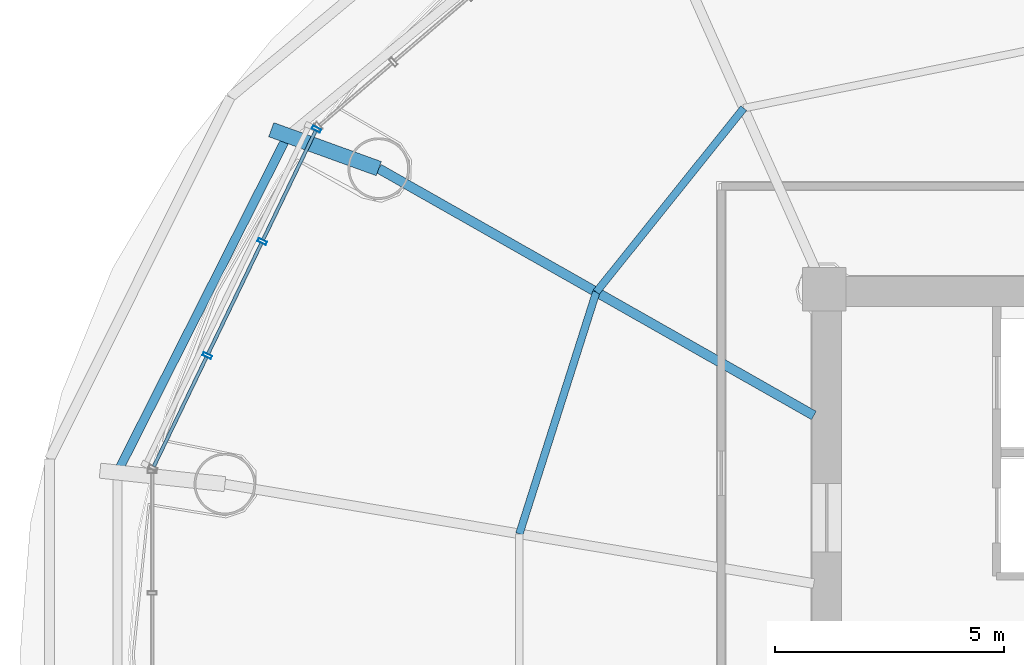
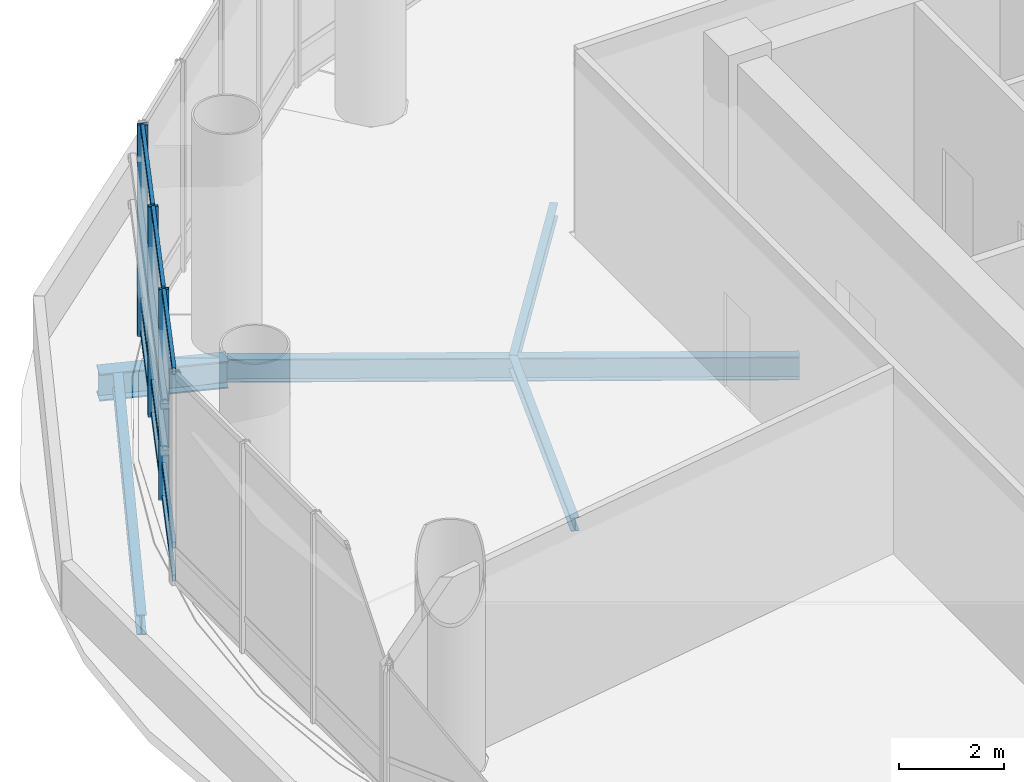
# One storey, part 7 of 29: 12 members, 5 beams, 1 element without a shape of its own.
"""IFC4 building model written with IfcOpenShell, lengths in metres."""

from ifc_helpers import new_model, si_unit, direction, frame, origin, origin_2d, place, context, subcontext, project, spatial, hollow_rectangle, i_section, extrude, source, transform, mapped, material, material_profile, profile_set, type_object, element, aggregate, save


model = new_model("IFC4")

# Units and contexts
model_context = context("Model", 3, precision=1e-05, world=origin(), true_north=direction((-0.2419218956, 0.970295726276)))
body_context = subcontext(model_context, "Body", "Model", "MODEL_VIEW")
ifc_project = project(units=[si_unit("LENGTHUNIT", "METRE"), si_unit("AREAUNIT", "SQUARE_METRE"), si_unit("VOLUMEUNIT", "CUBIC_METRE"), si_unit("PLANEANGLEUNIT", "RADIAN"), si_unit("MASSUNIT", "GRAM", prefix="KILO")], contexts=[model_context])

# Site, building, storey
site_placement = place(None, origin())
site = spatial("IfcSite", under=ifc_project, at=site_placement, CompositionType="ELEMENT")
building_placement = place(site_placement, origin())
building = spatial("IfcBuilding", under=site, at=building_placement, Name="Cobrevalo Terracotta Tower", CompositionType="ELEMENT")
storey_placement = place(building_placement, frame((0.0, 0.0, 130.199951171875)))
storey = spatial("IfcBuildingStorey", under=building, at=storey_placement, Name="L34", CompositionType="ELEMENT", Elevation=130.199951171875)

# Beams
ifc_material_1 = material(Name="Steel S355", Category="steel")
ifc_material_profile_1 = material_profile(ifc_material_1, i_section(OverallWidth=0.2109375, OverallDepth=0.5390625, WebThickness=0.01171875, FlangeThickness=0.018798828125, at=origin_2d()), Name="W 530x109")
ifc_profile_set_1 = profile_set([ifc_material_profile_1], Name="Steel S355")
beam_type_1 = type_object("IfcBeamType", Name="Structural Beam W 530x109 (Steel S355)", PredefinedType="BEAM", material=ifc_profile_set_1)
beam_1_placement = place(storey_placement, frame((19.250244140625, 37.439208984375, -0.719482421875), z_axis=(0.869735339048, -0.493518429251, 0.0), x_axis=(0.493518429251, 0.869735339048, 0.0)))
element("IfcBeam", 1, at=beam_1_placement, inside=storey, type_object=beam_type_1, Name="L34 radial floor girder 07", PredefinedType="BEAM", context=body_context, shape_type="SweptSolid", body=[
    extrude(i_section(OverallWidth=0.2109375, OverallDepth=0.5390625, WebThickness=0.01171875, FlangeThickness=0.018798828125, at=origin_2d()), origin(), (0.0, 0.0, 1.0), 10.945556640625),
])
ifc_material_profile_2 = material_profile(ifc_material_1, i_section(OverallWidth=0.3291015625, OverallDepth=0.635009765625, WebThickness=0.017822265625, FlangeThickness=0.031005859375, at=origin_2d()), Name="W 610x241")
ifc_profile_set_2 = profile_set([ifc_material_profile_2], Name="Steel S355")
beam_type_2 = type_object("IfcBeamType", Name="Structural Beam W 610x241 (Steel S355)", PredefinedType="BEAM", material=ifc_profile_set_2)
beam_2_placement = place(storey_placement, frame((16.8974609375, 38.290771484375, -0.767333984375), z_axis=(0.94030515472, -0.340332508007, 0.0), x_axis=(0.340332508007, 0.94030515472, 0.0)))
element("IfcBeam", 2, at=beam_2_placement, inside=storey, type_object=beam_type_2, Name="L34 setback step-link girder 07", PredefinedType="BEAM", context=body_context, shape_type="SweptSolid", body=[
    extrude(i_section(OverallWidth=0.3291015625, OverallDepth=0.635009765625, WebThickness=0.017822265625, FlangeThickness=0.031005859375, at=origin_2d()), origin(), (0.0, 0.0, 1.0), 2.502197265625),
])
ifc_material_profile_3 = material_profile(ifc_material_1, i_section(OverallWidth=0.1650390625, OverallDepth=0.31005859375, WebThickness=0.005859375, FlangeThickness=0.009765625, at=origin_2d()), Name="W 310x38.7")
ifc_profile_set_3 = profile_set([ifc_material_profile_3], Name="Steel S355")
beam_type_3 = type_object("IfcBeamType", Name="Structural Joist W 310x38.7 (Steel S355)", PredefinedType="JOIST", material=ifc_profile_set_3)
beam_3_placement = place(storey_placement, frame((27.23583984375, 38.76123046875, -0.60498046875), z_axis=(-0.625549229995, -0.780184696628, 0.0), x_axis=(0.780184696628, -0.625549229995, 0.0)))
element("IfcBeam", 3, at=beam_3_placement, inside=storey, type_object=beam_type_3, Name="L34 circumferential secondary floor joist 06", PredefinedType="JOIST", context=body_context, shape_type="SweptSolid", body=[
    extrude(i_section(OverallWidth=0.1650390625, OverallDepth=0.31005859375, WebThickness=0.005859375, FlangeThickness=0.009765625, at=origin_2d()), origin(), (0.0, 0.0, 1.0), 5.156494140625),
])
beam_4_placement = place(storey_placement, frame((24.01025390625, 34.73828125, -0.60498046875), z_axis=(-0.303230881841, -0.952917117224, 0.0), x_axis=(0.952917117224, -0.303230881841, 0.0)))
element("IfcBeam", 4, at=beam_4_placement, inside=storey, type_object=beam_type_3, Name="L34 circumferential secondary floor joist 07", PredefinedType="JOIST", context=body_context, shape_type="SweptSolid", body=[
    extrude(i_section(OverallWidth=0.1650390625, OverallDepth=0.31005859375, WebThickness=0.005859375, FlangeThickness=0.009765625, at=origin_2d()), origin(), (0.0, 0.0, 1.0), 5.55224609375),
])
ifc_material_profile_4 = material_profile(ifc_material_1, i_section(OverallWidth=0.194091796875, OverallDepth=0.468994140625, WebThickness=0.011474609375, FlangeThickness=0.0205078125, at=origin_2d()), Name="W 460x106")
ifc_profile_set_4 = profile_set([ifc_material_profile_4], Name="Steel S355")
beam_type_4 = type_object("IfcBeamType", Name="Structural Spandrel W 460x106 (Steel S355)", PredefinedType="SPANDREL", material=ifc_profile_set_4)
beam_5_placement = place(storey_placement, frame((17.2548828125, 38.161376953125, -0.6845703125), z_axis=(-0.451051982172, -0.892497680321, 0.0), x_axis=(0.892497680321, -0.451051982172, 0.0)))
element("IfcBeam", 5, at=beam_5_placement, inside=storey, type_object=beam_type_4, Name="L34 perimeter ring spandrel 07", PredefinedType="SPANDREL", context=body_context, shape_type="SweptSolid", body=[
    extrude(i_section(OverallWidth=0.194091796875, OverallDepth=0.468994140625, WebThickness=0.011474609375, FlangeThickness=0.0205078125, at=origin_2d()), origin(), (0.0, 0.0, 1.0), 8.259765625),
])

# Curtain wall, members
ifc_material_2 = material(Name="Anodized aluminium", Category="aluminium")
curtain_wall_type = type_object("IfcCurtainWallType", Name="Double-height sky-lobby panoramic curtain wall CW-SK", PredefinedType="NOTDEFINED", material=ifc_material_2)
curtain_wall_placement = place(storey_placement, origin())
curtain_wall = element("IfcCurtainWall", 6, at=curtain_wall_placement, inside=storey, type_object=curtain_wall_type, Name="L34 curtain wall CW-SK-L34-S07", PredefinedType="NOTDEFINED")
ifc_material_profile_5 = material_profile(ifc_material_2, hollow_rectangle(XDim=0.074951171875, YDim=0.199951171875, WallThickness=0.0048828125, at=origin_2d()), Name="CWM 75x200")
ifc_profile_set_5 = profile_set([ifc_material_profile_5], Name="Anodized aluminium")
member_type_1 = type_object("IfcMemberType", Name="Lower/mid tower unitised mullion 75x200", PredefinedType="MULLION", material=ifc_profile_set_5)
shared_shape_1 = source(origin(), body_context, "Body", "SweptSolid", [
    extrude(hollow_rectangle(XDim=0.074951171875, YDim=0.199951171875, WallThickness=0.0048828125, at=origin_2d()), origin(), (0.0, 0.0, 1.0), 4.929931640625),
])
member_1_placement = place(storey_placement, frame((17.885986328125, 38.30322265625, 0.0), z_axis=(0.0, 0.0, 1.0), x_axis=(-0.434209440271, -0.900811945957, 0.0)))
member_1 = element("IfcMember", 7, at=member_1_placement, type_object=member_type_1, Name="CW-SK-L34-S07 vertical mullion 01", PredefinedType="MULLION", context=body_context, shape_type="MappedRepresentation", body=[
    mapped(shared_shape_1, transform((0.0, 0.0, 0.0), scale=1.0)),
])
member_2_placement = place(storey_placement, frame((16.700439453125, 35.843505859375, 0.0), z_axis=(0.0, 0.0, 1.0), x_axis=(-0.434209440271, -0.900811945957, 0.0)))
member_2 = element("IfcMember", 8, at=member_2_placement, type_object=member_type_1, Name="CW-SK-L34-S07 vertical mullion 02", PredefinedType="MULLION", context=body_context, shape_type="MappedRepresentation", body=[
    mapped(shared_shape_1, transform((0.0, 0.0, 0.0), scale=1.0)),
])
member_3_placement = place(storey_placement, frame((15.497314453125, 33.34765625, 0.0), z_axis=(0.0, 0.0, 1.0), x_axis=(-0.434209440271, -0.900811945957, 0.0)))
member_3 = element("IfcMember", 9, at=member_3_placement, type_object=member_type_1, Name="CW-SK-L34-S07 vertical mullion 03", PredefinedType="MULLION", context=body_context, shape_type="MappedRepresentation", body=[
    mapped(shared_shape_1, transform((0.0, 0.0, 0.0), scale=1.0)),
])
ifc_material_profile_6 = material_profile(ifc_material_2, hollow_rectangle(XDim=0.074951171875, YDim=0.14990234375, WallThickness=0.00439453125, at=origin_2d()), Name="CWT 75x150")
ifc_profile_set_6 = profile_set([ifc_material_profile_6], Name="Anodized aluminium")
member_type_2 = type_object("IfcMemberType", Name="Tower unitised aluminium transom 75x150", PredefinedType="USERDEFINED", material=ifc_profile_set_6)
shared_shape_2 = source(origin(), body_context, "Body", "SweptSolid", [
    extrude(hollow_rectangle(XDim=0.074951171875, YDim=0.14990234375, WallThickness=0.00439453125, at=origin_2d()), origin(), (0.0, 0.0, 1.0), 2.650634765625),
])
member_4_placement = place(storey_placement, frame((17.86865234375, 38.26708984375, 0.050048828125), z_axis=(-0.434197756715, -0.900817577572, 0.0), x_axis=(0.900817577572, -0.434197756715, 0.0)))
member_4 = element("IfcMember", 10, at=member_4_placement, type_object=member_type_2, Name="CW-SK-L34-S07 transom B01-T1", ObjectType="TRANSOM", PredefinedType="USERDEFINED", context=body_context, shape_type="MappedRepresentation", body=[
    mapped(shared_shape_2, transform((0.0, 0.0, 0.0), scale=1.0)),
])
member_5_placement = place(storey_placement, frame((17.86865234375, 38.26708984375, 0.820068359375), z_axis=(-0.434197756715, -0.900817577572, 0.0), x_axis=(0.900817577572, -0.434197756715, 0.0)))
member_5 = element("IfcMember", 11, at=member_5_placement, type_object=member_type_2, Name="CW-SK-L34-S07 transom B01-T2", ObjectType="TRANSOM", PredefinedType="USERDEFINED", context=body_context, shape_type="MappedRepresentation", body=[
    mapped(shared_shape_2, transform((0.0, 0.0, 0.0), scale=1.0)),
])
member_6_placement = place(storey_placement, frame((17.86865234375, 38.26708984375, 4.880126953125), z_axis=(-0.434197756715, -0.900817577572, 0.0), x_axis=(0.900817577572, -0.434197756715, 0.0)))
member_6 = element("IfcMember", 12, at=member_6_placement, type_object=member_type_2, Name="CW-SK-L34-S07 transom B01-T3", ObjectType="TRANSOM", PredefinedType="USERDEFINED", context=body_context, shape_type="MappedRepresentation", body=[
    mapped(shared_shape_2, transform((0.0, 0.0, 0.0), scale=1.0)),
])
member_7_placement = place(storey_placement, frame((15.47998046875, 33.311767578125, 0.050048828125), z_axis=(-0.434197756715, -0.900817577572, 0.0), x_axis=(0.900817577572, -0.434197756715, 0.0)))
member_7 = element("IfcMember", 13, at=member_7_placement, type_object=member_type_2, Name="CW-SK-L34-S07 transom B03-T1", ObjectType="TRANSOM", PredefinedType="USERDEFINED", context=body_context, shape_type="MappedRepresentation", body=[
    mapped(shared_shape_2, transform((0.0, 0.0, 0.0), scale=1.0)),
])
member_8_placement = place(storey_placement, frame((15.47998046875, 33.311767578125, 0.820068359375), z_axis=(-0.434197756715, -0.900817577572, 0.0), x_axis=(0.900817577572, -0.434197756715, 0.0)))
member_8 = element("IfcMember", 14, at=member_8_placement, type_object=member_type_2, Name="CW-SK-L34-S07 transom B03-T2", ObjectType="TRANSOM", PredefinedType="USERDEFINED", context=body_context, shape_type="MappedRepresentation", body=[
    mapped(shared_shape_2, transform((0.0, 0.0, 0.0), scale=1.0)),
])
member_9_placement = place(storey_placement, frame((15.47998046875, 33.311767578125, 4.880126953125), z_axis=(-0.434197756715, -0.900817577572, 0.0), x_axis=(0.900817577572, -0.434197756715, 0.0)))
member_9 = element("IfcMember", 15, at=member_9_placement, type_object=member_type_2, Name="CW-SK-L34-S07 transom B03-T3", ObjectType="TRANSOM", PredefinedType="USERDEFINED", context=body_context, shape_type="MappedRepresentation", body=[
    mapped(shared_shape_2, transform((0.0, 0.0, 0.0), scale=1.0)),
])
shared_shape_3 = source(origin(), body_context, "Body", "SweptSolid", [
    extrude(hollow_rectangle(XDim=0.074951171875, YDim=0.14990234375, WallThickness=0.00439453125, at=origin_2d()), origin(), (0.0, 0.0, 1.0), 2.6904296875),
])
member_10_placement = place(storey_placement, frame((16.68310546875, 35.807373046875, 0.050048828125), z_axis=(-0.434208463265, -0.900812416893, 0.0), x_axis=(0.900812416893, -0.434208463265, 0.0)))
member_10 = element("IfcMember", 16, at=member_10_placement, type_object=member_type_2, Name="CW-SK-L34-S07 transom B02-T1", ObjectType="TRANSOM", PredefinedType="USERDEFINED", context=body_context, shape_type="MappedRepresentation", body=[
    mapped(shared_shape_3, transform((0.0, 0.0, 0.0), scale=1.0)),
])
member_11_placement = place(storey_placement, frame((16.68310546875, 35.807373046875, 0.820068359375), z_axis=(-0.434208463265, -0.900812416893, 0.0), x_axis=(0.900812416893, -0.434208463265, 0.0)))
member_11 = element("IfcMember", 17, at=member_11_placement, type_object=member_type_2, Name="CW-SK-L34-S07 transom B02-T2", ObjectType="TRANSOM", PredefinedType="USERDEFINED", context=body_context, shape_type="MappedRepresentation", body=[
    mapped(shared_shape_3, transform((0.0, 0.0, 0.0), scale=1.0)),
])
member_12_placement = place(storey_placement, frame((16.68310546875, 35.807373046875, 4.880126953125), z_axis=(-0.434208463265, -0.900812416893, 0.0), x_axis=(0.900812416893, -0.434208463265, 0.0)))
member_12 = element("IfcMember", 18, at=member_12_placement, type_object=member_type_2, Name="CW-SK-L34-S07 transom B02-T3", ObjectType="TRANSOM", PredefinedType="USERDEFINED", context=body_context, shape_type="MappedRepresentation", body=[
    mapped(shared_shape_3, transform((0.0, 0.0, 0.0), scale=1.0)),
])
aggregate(curtain_wall, [member_1, member_2, member_3, member_4, member_5, member_6, member_10, member_11, member_12, member_7, member_8, member_9])

save(model, "model.ifc")
